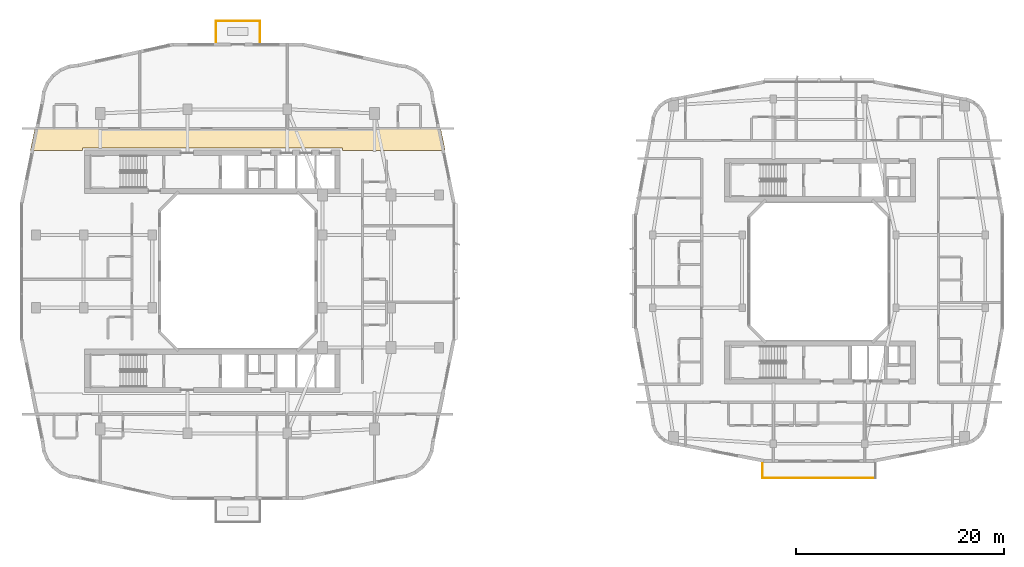
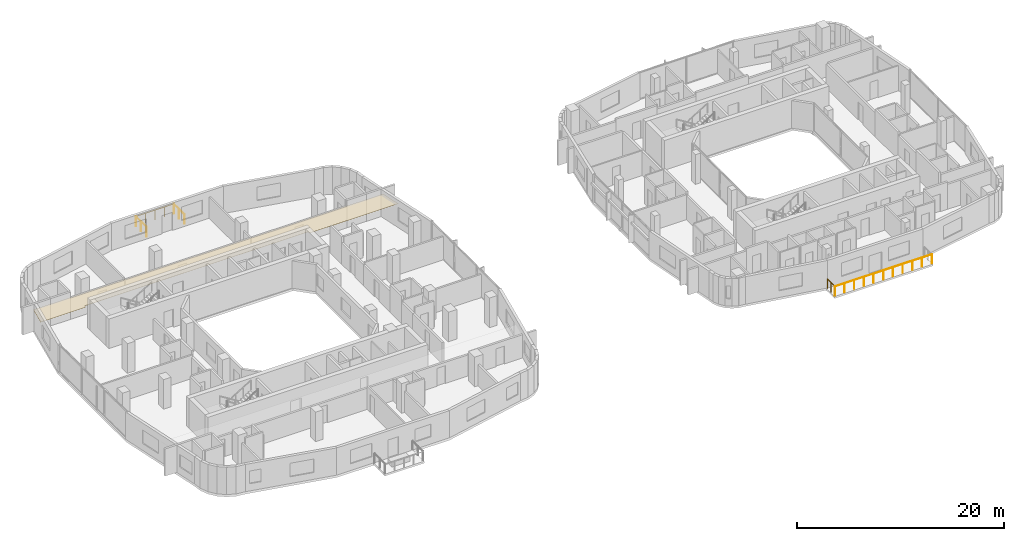
# One storey, part 22 of 24: 5 railings, 1 covering.
"""IFC4 building model written with IfcOpenShell, lengths in metres."""

from ifc_helpers import new_model, si_unit, derived_unit, direction, frame, origin, origin_2d, place, context, subcontext, project, spatial, polyline, circle, outline, extrude, material, layer, layer_set, type_object, element, save


model = new_model("IFC4")

# Units and contexts
model_context = context("Model", 3, precision=1e-05, world=origin(), true_north=direction((0.0, 1.0)))
body_context = subcontext(model_context, "Body", "Model", "MODEL_VIEW")
ifc_project = project(units=[si_unit("LENGTHUNIT", "METRE"), si_unit("AREAUNIT", "SQUARE_METRE"), si_unit("VOLUMEUNIT", "CUBIC_METRE"), si_unit("PLANEANGLEUNIT", "RADIAN"), si_unit("MASSUNIT", "GRAM", prefix="KILO"), derived_unit("THERMALTRANSMITTANCEUNIT", [(si_unit("POWERUNIT", "WATT"), 1), (si_unit("LENGTHUNIT", "METRE"), -2), (si_unit("THERMODYNAMICTEMPERATUREUNIT", "KELVIN"), -1)])], contexts=[model_context])

# Site, building, storey
site_placement = place(None, origin())
site = spatial("IfcSite", under=ifc_project, at=site_placement, CompositionType="ELEMENT")
building_placement = place(site_placement, origin())
building = spatial("IfcBuilding", under=site, at=building_placement, Name="Kivonza Crest Hotel", CompositionType="ELEMENT")
storey_placement = place(building_placement, frame((0.0, 0.0, 80.0)))
storey = spatial("IfcBuildingStorey", under=building, at=storey_placement, Name="L21", CompositionType="ELEMENT", Elevation=80.0)

# Covering
ifc_material_1 = material(Name="Mineral-fibre acoustic ceiling tile", Category="gypsum")
ifc_layer = layer(ifc_material_1, 0.02490234375)
ifc_layer_set = layer_set([ifc_layer], Name="Mineral-fibre acoustic ceiling tile")
covering_type = type_object("IfcCoveringType", Name="CV-CEIL-ACOU", PredefinedType="CEILING", material=ifc_layer_set)
covering_placement = place(storey_placement, frame((0.0, 0.0, 2.449951171875)))
element("IfcCovering", 1, at=covering_placement, inside=storey, type_object=covering_type, Name="L21 Hotel North Guest Corridor suspended ceiling", PredefinedType="CEILING", context=body_context, shape_type="SweptSolid", body=[
    extrude(outline(polyline([(1.506103515625, 38.7900390625), (1.06396484375, 36.6201171875), (6.10009765625, 36.6201171875), (6.10009765625, 36.860107421875), (31.10009765625, 36.860107421875), (31.10009765625, 36.6201171875), (41.01611328125, 36.6201171875), (40.573974609375, 38.7900390625), (1.506103515625, 38.7900390625)])), origin(), (0.0, 0.0, 1.0), 0.025146484375),
])

# Railings
ifc_material_2 = material(Name="Laminated glass and stainless steel balustrade", Category="steel")
railing_type = type_object("IfcRailingType", Name="RL-TERR-1150", PredefinedType="BALUSTRADE", material=ifc_material_2)
railing_1_placement = place(storey_placement, frame((18.919921875, 47.080078125, 0.0)))
element("IfcRailing", 2, at=railing_1_placement, inside=storey, type_object=railing_type, Name="L21 T1-L21-SG-NE perimeter safety balustrade 1", PredefinedType="BALUSTRADE", context=body_context, shape_type="SweptSolid", body=[
    extrude(circle(Radius=0.02392578125, at=origin_2d()), frame((0.0, 0.0, 1.1259765625), z_axis=(0.0, 1.0, 0.0), x_axis=(-1.0, 0.0, 0.0)), (0.0, 0.0, 1.0), 2.0400390625),
    extrude(circle(Radius=0.02099609375, at=origin_2d()), origin(), (0.0, 0.0, 1.0), 1.101806640625),
    extrude(circle(Radius=0.02099609375, at=origin_2d()), frame((0.0, 1.02001953125, 0.0)), (0.0, 0.0, 1.0), 1.101806640625),
    extrude(circle(Radius=0.02099609375, at=origin_2d()), frame((0.0, 2.0400390625, 0.0)), (0.0, 0.0, 1.0), 1.101806640625),
])
railing_2_placement = place(storey_placement, frame((18.919921875, 49.1201171875, 0.0)))
element("IfcRailing", 3, at=railing_2_placement, inside=storey, type_object=railing_type, Name="L21 T1-L21-SG-NE perimeter safety balustrade 2", PredefinedType="BALUSTRADE", context=body_context, shape_type="SweptSolid", body=[
    extrude(circle(Radius=0.02392578125, at=origin_2d()), frame((0.0, 0.0, 1.1259765625), z_axis=(1.0, 0.0, 0.0), x_axis=(0.0, 1.0, 0.0)), (0.0, 0.0, 1.0), 4.239990234375),
    extrude(circle(Radius=0.02099609375, at=origin_2d()), origin(), (0.0, 0.0, 1.0), 1.101806640625),
    extrude(circle(Radius=0.02099609375, at=origin_2d()), frame((1.06005859375, 0.0, 0.0)), (0.0, 0.0, 1.0), 1.101806640625),
    extrude(circle(Radius=0.02099609375, at=origin_2d()), frame((2.1201171875, 0.0, 0.0)), (0.0, 0.0, 1.0), 1.101806640625),
    extrude(circle(Radius=0.02099609375, at=origin_2d()), frame((3.179931640625, 0.0, 0.0)), (0.0, 0.0, 1.0), 1.101806640625),
    extrude(circle(Radius=0.02099609375, at=origin_2d()), frame((4.239990234375, 0.0, 0.0)), (0.0, 0.0, 1.0), 1.101806640625),
])
railing_3_placement = place(storey_placement, frame((23.159912109375, 49.1201171875, 0.0)))
element("IfcRailing", 4, at=railing_3_placement, inside=storey, type_object=railing_type, Name="L21 T1-L21-SG-NE perimeter safety balustrade 3", PredefinedType="BALUSTRADE", context=body_context, shape_type="SweptSolid", body=[
    extrude(circle(Radius=0.02392578125, at=origin_2d()), frame((0.0, 0.0, 1.1259765625), z_axis=(0.0, -1.0, 0.0), x_axis=(1.0, 0.0, 0.0)), (0.0, 0.0, 1.0), 2.0400390625),
    extrude(circle(Radius=0.02099609375, at=origin_2d()), origin(), (0.0, 0.0, 1.0), 1.101806640625),
    extrude(circle(Radius=0.02099609375, at=origin_2d()), frame((0.0, -1.02001953125, 0.0)), (0.0, 0.0, 1.0), 1.101806640625),
    extrude(circle(Radius=0.02099609375, at=origin_2d()), frame((0.0, -2.0400390625, 0.0)), (0.0, 0.0, 1.0), 1.101806640625),
])
railing_4_placement = place(storey_placement, frame((71.580078125, 5.080078125, 0.0)))
element("IfcRailing", 5, at=railing_4_placement, inside=storey, type_object=railing_type, Name="L21 T2-L21-TS perimeter safety balustrade 1", PredefinedType="BALUSTRADE", context=body_context, shape_type="SweptSolid", body=[
    extrude(circle(Radius=0.02392578125, at=origin_2d()), frame((0.0, 0.0, 1.1259765625), z_axis=(0.0, 1.0, 0.0), x_axis=(-1.0, 0.0, 0.0)), (0.0, 0.0, 1.0), 1.43994140625),
    extrude(circle(Radius=0.02099609375, at=origin_2d()), origin(), (0.0, 0.0, 1.0), 1.101806640625),
    extrude(circle(Radius=0.02099609375, at=origin_2d()), frame((0.0, 0.719970703125, 0.0)), (0.0, 0.0, 1.0), 1.101806640625),
    extrude(circle(Radius=0.02099609375, at=origin_2d()), frame((0.0, 1.43994140625, 0.0)), (0.0, 0.0, 1.0), 1.101806640625),
])
railing_5_placement = place(storey_placement, frame((82.419921875, 5.080078125, 0.0)))
element("IfcRailing", 6, at=railing_5_placement, inside=storey, type_object=railing_type, Name="L21 T2-L21-TS perimeter safety balustrade 3", PredefinedType="BALUSTRADE", context=body_context, shape_type="SweptSolid", body=[
    extrude(circle(Radius=0.02392578125, at=origin_2d()), frame((0.0, 0.0, 1.1259765625), z_axis=(-1.0, 0.0, 0.0), x_axis=(0.0, -1.0, 0.0)), (0.0, 0.0, 1.0), 10.83984375),
    extrude(circle(Radius=0.02099609375, at=origin_2d()), origin(), (0.0, 0.0, 1.0), 1.101806640625),
    extrude(circle(Radius=0.02099609375, at=origin_2d()), frame((-1.083984375, 0.0, 0.0)), (0.0, 0.0, 1.0), 1.101806640625),
    extrude(circle(Radius=0.02099609375, at=origin_2d()), frame((-2.16796875, 0.0, 0.0)), (0.0, 0.0, 1.0), 1.101806640625),
    extrude(circle(Radius=0.02099609375, at=origin_2d()), frame((-3.251953125, 0.0, 0.0)), (0.0, 0.0, 1.0), 1.101806640625),
    extrude(circle(Radius=0.02099609375, at=origin_2d()), frame((-4.3359375, 0.0, 0.0)), (0.0, 0.0, 1.0), 1.101806640625),
    extrude(circle(Radius=0.02099609375, at=origin_2d()), frame((-5.419921875, 0.0, 0.0)), (0.0, 0.0, 1.0), 1.101806640625),
    extrude(circle(Radius=0.02099609375, at=origin_2d()), frame((-6.50390625, 0.0, 0.0)), (0.0, 0.0, 1.0), 1.101806640625),
    extrude(circle(Radius=0.02099609375, at=origin_2d()), frame((-7.587890625, 0.0, 0.0)), (0.0, 0.0, 1.0), 1.101806640625),
    extrude(circle(Radius=0.02099609375, at=origin_2d()), frame((-8.671875, 0.0, 0.0)), (0.0, 0.0, 1.0), 1.101806640625),
    extrude(circle(Radius=0.02099609375, at=origin_2d()), frame((-9.755859375, 0.0, 0.0)), (0.0, 0.0, 1.0), 1.101806640625),
    extrude(circle(Radius=0.02099609375, at=origin_2d()), frame((-10.83984375, 0.0, 0.0)), (0.0, 0.0, 1.0), 1.101806640625),
])

save(model, "model.ifc")
